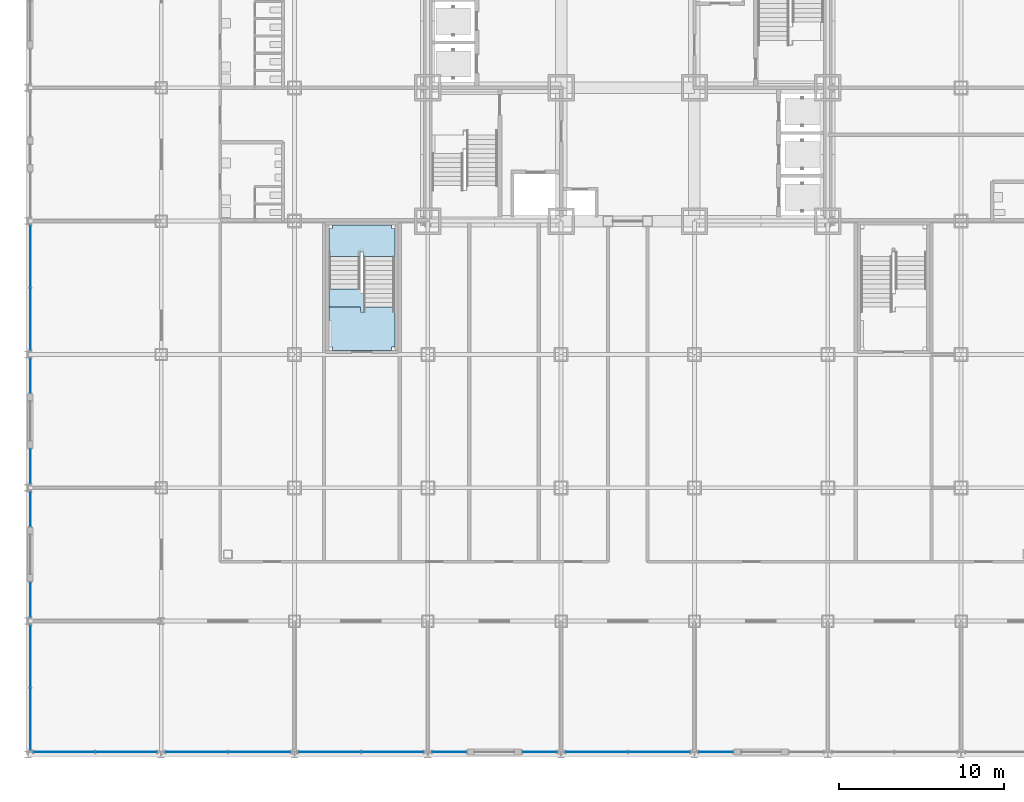
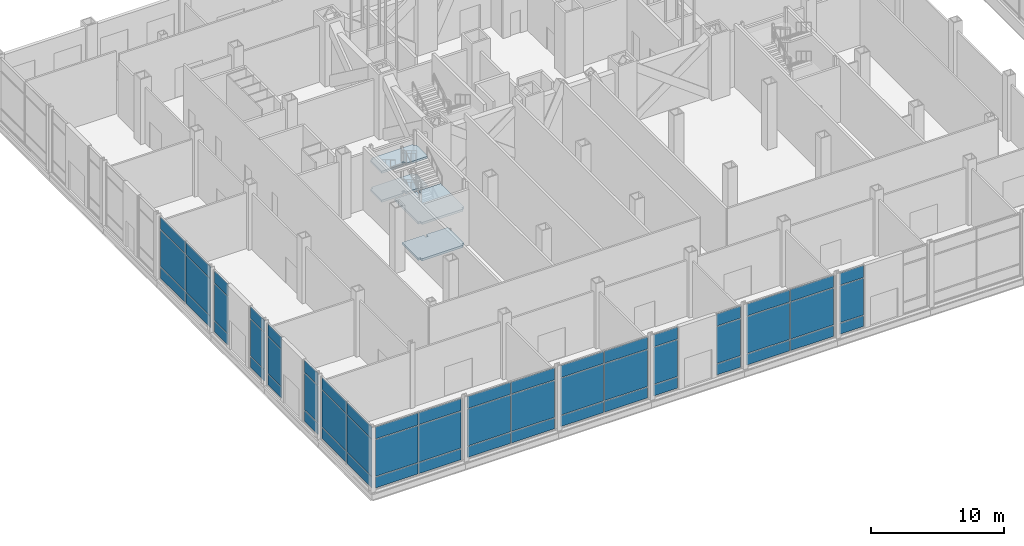
# One storey, part 19 of 35: 57 plates, 4 slabs, 14 elements without a shape of their own.
"""IFC4 building model written with IfcOpenShell, lengths in metres."""

from ifc_helpers import new_model, si_unit, direction, frame, origin, origin_2d, place, context, subcontext, project, spatial, polyline, rectangle, outline, extrude, material, layer, layer_set, type_object, element, aggregate, save


model = new_model("IFC4")

# Units and contexts
model_context = context("Model", 3, precision=1e-05, world=origin(), true_north=direction((0.0, 1.0)))
body_context = subcontext(model_context, "Body", "Model", "MODEL_VIEW")
ifc_project = project(units=[si_unit("LENGTHUNIT", "METRE"), si_unit("AREAUNIT", "SQUARE_METRE"), si_unit("VOLUMEUNIT", "CUBIC_METRE"), si_unit("PLANEANGLEUNIT", "RADIAN"), si_unit("MASSUNIT", "GRAM", prefix="KILO")], contexts=[model_context])

# Site, building, storey
site_placement = place(None, origin())
site = spatial("IfcSite", under=ifc_project, at=site_placement, CompositionType="ELEMENT")
building_placement = place(site_placement, origin())
building = spatial("IfcBuilding", under=site, at=building_placement, Name="Kopane Lantern Tower", CompositionType="ELEMENT")
storey_placement = place(building_placement, origin())
storey = spatial("IfcBuildingStorey", under=building, at=storey_placement, Name="L00", CompositionType="ELEMENT", Elevation=0.0)

# Curtain wall, plates
ifc_material_1 = material(Name="Aluminium and clear glass", Category="aluminium")
curtain_wall_type = type_object("IfcCurtainWallType", Name="CURTAIN WALL CW1 PODIUM STOREFRONT", PredefinedType="USERDEFINED", material=ifc_material_1)
curtain_wall_1_placement = place(storey_placement, origin())
curtain_wall_1 = element("IfcCurtainWall", 1, at=curtain_wall_1_placement, inside=storey, type_object=curtain_wall_type, Name="Curtain wall CW1 S L00", ObjectType="CURTAIN WALL", PredefinedType="USERDEFINED")
ifc_material_2 = material(Name="Insulated clear glass unit", Category="glass")
ifc_layer_1 = layer(ifc_material_2, 0.031982421875)
ifc_layer_set_1 = layer_set([ifc_layer_1], Name="CURTAIN PANEL CW1-P 32")
plate_type = type_object("IfcPlateType", Name="CURTAIN PANEL CW1-P 32", PredefinedType="CURTAIN_PANEL", material=ifc_layer_set_1)
plate_1_placement = place(storey_placement, frame((-5.88525390625, -7.949951171875, 0.06494140625), z_axis=(0.0, 0.0, 1.0), x_axis=(1.0, 0.0, 0.0)))
plate_1 = element("IfcPlate", 2, at=plate_1_placement, type_object=plate_type, Name="CW1 panel 1.1", PredefinedType="CURTAIN_PANEL", context=body_context, shape_type="SweptSolid", body=[
    extrude(rectangle(XDim=3.69921875, YDim=0.031982421875, at=origin_2d()), origin(), (0.0, 0.0, 1.0), 1.00244140625),
])
plate_2_placement = place(storey_placement, frame((-5.88525390625, -7.949951171875, 1.13232421875), z_axis=(0.0, 0.0, 1.0), x_axis=(1.0, 0.0, 0.0)))
plate_2 = element("IfcPlate", 3, at=plate_2_placement, type_object=plate_type, Name="CW1 panel 1.2", PredefinedType="CURTAIN_PANEL", context=body_context, shape_type="SweptSolid", body=[
    extrude(rectangle(XDim=3.69921875, YDim=0.031982421875, at=origin_2d()), origin(), (0.0, 0.0, 1.0), 3.385009765625),
])
plate_3_placement = place(storey_placement, frame((-5.88525390625, -7.949951171875, 4.58251953125), z_axis=(0.0, 0.0, 1.0), x_axis=(1.0, 0.0, 0.0)))
plate_3 = element("IfcPlate", 4, at=plate_3_placement, type_object=plate_type, Name="CW1 panel 1.3", PredefinedType="CURTAIN_PANEL", context=body_context, shape_type="SweptSolid", body=[
    extrude(rectangle(XDim=3.69921875, YDim=0.031982421875, at=origin_2d()), origin(), (0.0, 0.0, 1.0), 1.1025390625),
])
plate_4_placement = place(storey_placement, frame((-2.12109375, -7.949951171875, 0.06494140625), z_axis=(0.0, 0.0, 1.0), x_axis=(1.0, 0.0, 0.0)))
plate_4 = element("IfcPlate", 5, at=plate_4_placement, type_object=plate_type, Name="CW1 panel 2.1", PredefinedType="CURTAIN_PANEL", context=body_context, shape_type="SweptSolid", body=[
    extrude(rectangle(XDim=3.69921875, YDim=0.031982421875, at=origin_2d()), origin(), (0.0, 0.0, 1.0), 1.00244140625),
])
plate_5_placement = place(storey_placement, frame((-2.12109375, -7.949951171875, 1.13232421875), z_axis=(0.0, 0.0, 1.0), x_axis=(1.0, 0.0, 0.0)))
plate_5 = element("IfcPlate", 6, at=plate_5_placement, type_object=plate_type, Name="CW1 panel 2.2", PredefinedType="CURTAIN_PANEL", context=body_context, shape_type="SweptSolid", body=[
    extrude(rectangle(XDim=3.69921875, YDim=0.031982421875, at=origin_2d()), origin(), (0.0, 0.0, 1.0), 3.385009765625),
])
plate_6_placement = place(storey_placement, frame((-2.12109375, -7.949951171875, 4.58251953125), z_axis=(0.0, 0.0, 1.0), x_axis=(1.0, 0.0, 0.0)))
plate_6 = element("IfcPlate", 7, at=plate_6_placement, type_object=plate_type, Name="CW1 panel 2.3", PredefinedType="CURTAIN_PANEL", context=body_context, shape_type="SweptSolid", body=[
    extrude(rectangle(XDim=3.69921875, YDim=0.031982421875, at=origin_2d()), origin(), (0.0, 0.0, 1.0), 1.1025390625),
])
aggregate(curtain_wall_1, [plate_1, plate_2, plate_3, plate_4, plate_5, plate_6])

curtain_wall_2_placement = place(storey_placement, origin())
curtain_wall_2 = element("IfcCurtainWall", 8, at=curtain_wall_2_placement, inside=storey, type_object=curtain_wall_type, Name="Curtain wall CW1 S L00", ObjectType="CURTAIN WALL", PredefinedType="USERDEFINED")
plate_7_placement = place(storey_placement, frame((2.14453125, -7.949951171875, 0.06494140625), z_axis=(0.0, 0.0, 1.0), x_axis=(1.0, 0.0, 0.0)))
plate_7 = element("IfcPlate", 9, at=plate_7_placement, type_object=plate_type, Name="CW1 panel 1.1", PredefinedType="CURTAIN_PANEL", context=body_context, shape_type="SweptSolid", body=[
    extrude(rectangle(XDim=3.74609375, YDim=0.031982421875, at=origin_2d()), origin(), (0.0, 0.0, 1.0), 1.00244140625),
])
plate_8_placement = place(storey_placement, frame((2.14453125, -7.949951171875, 1.13232421875), z_axis=(0.0, 0.0, 1.0), x_axis=(1.0, 0.0, 0.0)))
plate_8 = element("IfcPlate", 10, at=plate_8_placement, type_object=plate_type, Name="CW1 panel 1.2", PredefinedType="CURTAIN_PANEL", context=body_context, shape_type="SweptSolid", body=[
    extrude(rectangle(XDim=3.74609375, YDim=0.031982421875, at=origin_2d()), origin(), (0.0, 0.0, 1.0), 3.385009765625),
])
plate_9_placement = place(storey_placement, frame((2.14453125, -7.949951171875, 4.58251953125), z_axis=(0.0, 0.0, 1.0), x_axis=(1.0, 0.0, 0.0)))
plate_9 = element("IfcPlate", 11, at=plate_9_placement, type_object=plate_type, Name="CW1 panel 1.3", PredefinedType="CURTAIN_PANEL", context=body_context, shape_type="SweptSolid", body=[
    extrude(rectangle(XDim=3.74609375, YDim=0.031982421875, at=origin_2d()), origin(), (0.0, 0.0, 1.0), 1.1025390625),
])
plate_10_placement = place(storey_placement, frame((5.95556640625, -7.949951171875, 0.06494140625), z_axis=(0.0, 0.0, 1.0), x_axis=(1.0, 0.0, 0.0)))
plate_10 = element("IfcPlate", 12, at=plate_10_placement, type_object=plate_type, Name="CW1 panel 2.1", PredefinedType="CURTAIN_PANEL", context=body_context, shape_type="SweptSolid", body=[
    extrude(rectangle(XDim=3.74609375, YDim=0.031982421875, at=origin_2d()), origin(), (0.0, 0.0, 1.0), 1.00244140625),
])
plate_11_placement = place(storey_placement, frame((5.95556640625, -7.949951171875, 1.13232421875), z_axis=(0.0, 0.0, 1.0), x_axis=(1.0, 0.0, 0.0)))
plate_11 = element("IfcPlate", 13, at=plate_11_placement, type_object=plate_type, Name="CW1 panel 2.2", PredefinedType="CURTAIN_PANEL", context=body_context, shape_type="SweptSolid", body=[
    extrude(rectangle(XDim=3.74609375, YDim=0.031982421875, at=origin_2d()), origin(), (0.0, 0.0, 1.0), 3.385009765625),
])
plate_12_placement = place(storey_placement, frame((5.95556640625, -7.949951171875, 4.58251953125), z_axis=(0.0, 0.0, 1.0), x_axis=(1.0, 0.0, 0.0)))
plate_12 = element("IfcPlate", 14, at=plate_12_placement, type_object=plate_type, Name="CW1 panel 2.3", PredefinedType="CURTAIN_PANEL", context=body_context, shape_type="SweptSolid", body=[
    extrude(rectangle(XDim=3.74609375, YDim=0.031982421875, at=origin_2d()), origin(), (0.0, 0.0, 1.0), 1.1025390625),
])
aggregate(curtain_wall_2, [plate_7, plate_8, plate_9, plate_10, plate_11, plate_12])

curtain_wall_3_placement = place(storey_placement, origin())
curtain_wall_3 = element("IfcCurtainWall", 15, at=curtain_wall_3_placement, inside=storey, type_object=curtain_wall_type, Name="Curtain wall CW1 S L00", ObjectType="CURTAIN WALL", PredefinedType="USERDEFINED")
plate_13_placement = place(storey_placement, frame((10.244384765625, -7.949951171875, 0.06494140625), z_axis=(0.0, 0.0, 1.0), x_axis=(1.0, 0.0, 0.0)))
plate_13 = element("IfcPlate", 16, at=plate_13_placement, type_object=plate_type, Name="CW1 panel 1.1", PredefinedType="CURTAIN_PANEL", context=body_context, shape_type="SweptSolid", body=[
    extrude(rectangle(XDim=3.74609375, YDim=0.031982421875, at=origin_2d()), origin(), (0.0, 0.0, 1.0), 1.00244140625),
])
plate_14_placement = place(storey_placement, frame((10.244384765625, -7.949951171875, 1.13232421875), z_axis=(0.0, 0.0, 1.0), x_axis=(1.0, 0.0, 0.0)))
plate_14 = element("IfcPlate", 17, at=plate_14_placement, type_object=plate_type, Name="CW1 panel 1.2", PredefinedType="CURTAIN_PANEL", context=body_context, shape_type="SweptSolid", body=[
    extrude(rectangle(XDim=3.74609375, YDim=0.031982421875, at=origin_2d()), origin(), (0.0, 0.0, 1.0), 3.385009765625),
])
plate_15_placement = place(storey_placement, frame((10.244384765625, -7.949951171875, 4.58251953125), z_axis=(0.0, 0.0, 1.0), x_axis=(1.0, 0.0, 0.0)))
plate_15 = element("IfcPlate", 18, at=plate_15_placement, type_object=plate_type, Name="CW1 panel 1.3", PredefinedType="CURTAIN_PANEL", context=body_context, shape_type="SweptSolid", body=[
    extrude(rectangle(XDim=3.74609375, YDim=0.031982421875, at=origin_2d()), origin(), (0.0, 0.0, 1.0), 1.1025390625),
])
plate_16_placement = place(storey_placement, frame((14.055419921875, -7.949951171875, 0.06494140625), z_axis=(0.0, 0.0, 1.0), x_axis=(1.0, 0.0, 0.0)))
plate_16 = element("IfcPlate", 19, at=plate_16_placement, type_object=plate_type, Name="CW1 panel 2.1", PredefinedType="CURTAIN_PANEL", context=body_context, shape_type="SweptSolid", body=[
    extrude(rectangle(XDim=3.74609375, YDim=0.031982421875, at=origin_2d()), origin(), (0.0, 0.0, 1.0), 1.00244140625),
])
plate_17_placement = place(storey_placement, frame((14.055419921875, -7.949951171875, 1.13232421875), z_axis=(0.0, 0.0, 1.0), x_axis=(1.0, 0.0, 0.0)))
plate_17 = element("IfcPlate", 20, at=plate_17_placement, type_object=plate_type, Name="CW1 panel 2.2", PredefinedType="CURTAIN_PANEL", context=body_context, shape_type="SweptSolid", body=[
    extrude(rectangle(XDim=3.74609375, YDim=0.031982421875, at=origin_2d()), origin(), (0.0, 0.0, 1.0), 3.385009765625),
])
plate_18_placement = place(storey_placement, frame((14.055419921875, -7.949951171875, 4.58251953125), z_axis=(0.0, 0.0, 1.0), x_axis=(1.0, 0.0, 0.0)))
plate_18 = element("IfcPlate", 21, at=plate_18_placement, type_object=plate_type, Name="CW1 panel 2.3", PredefinedType="CURTAIN_PANEL", context=body_context, shape_type="SweptSolid", body=[
    extrude(rectangle(XDim=3.74609375, YDim=0.031982421875, at=origin_2d()), origin(), (0.0, 0.0, 1.0), 1.1025390625),
])
aggregate(curtain_wall_3, [plate_13, plate_14, plate_15, plate_16, plate_17, plate_18])

curtain_wall_4_placement = place(storey_placement, origin())
curtain_wall_4 = element("IfcCurtainWall", 22, at=curtain_wall_4_placement, inside=storey, type_object=curtain_wall_type, Name="Curtain wall CW1 S L00", ObjectType="CURTAIN WALL", PredefinedType="USERDEFINED")
plate_19_placement = place(storey_placement, frame((17.503173828125, -7.949951171875, 0.06494140625), z_axis=(0.0, 0.0, 1.0), x_axis=(1.0, 0.0, 0.0)))
plate_19 = element("IfcPlate", 23, at=plate_19_placement, type_object=plate_type, Name="CW1 panel 1.1", PredefinedType="CURTAIN_PANEL", context=body_context, shape_type="SweptSolid", body=[
    extrude(rectangle(XDim=2.0634765625, YDim=0.031982421875, at=origin_2d()), origin(), (0.0, 0.0, 1.0), 1.00244140625),
])
plate_20_placement = place(storey_placement, frame((17.503173828125, -7.949951171875, 1.13232421875), z_axis=(0.0, 0.0, 1.0), x_axis=(1.0, 0.0, 0.0)))
plate_20 = element("IfcPlate", 24, at=plate_20_placement, type_object=plate_type, Name="CW1 panel 1.2", PredefinedType="CURTAIN_PANEL", context=body_context, shape_type="SweptSolid", body=[
    extrude(rectangle(XDim=2.0634765625, YDim=0.031982421875, at=origin_2d()), origin(), (0.0, 0.0, 1.0), 3.385009765625),
])
plate_21_placement = place(storey_placement, frame((17.503173828125, -7.949951171875, 4.58251953125), z_axis=(0.0, 0.0, 1.0), x_axis=(1.0, 0.0, 0.0)))
plate_21 = element("IfcPlate", 25, at=plate_21_placement, type_object=plate_type, Name="CW1 panel 1.3", PredefinedType="CURTAIN_PANEL", context=body_context, shape_type="SweptSolid", body=[
    extrude(rectangle(XDim=2.0634765625, YDim=0.031982421875, at=origin_2d()), origin(), (0.0, 0.0, 1.0), 1.1025390625),
])
aggregate(curtain_wall_4, [plate_19, plate_20, plate_21])

curtain_wall_5_placement = place(storey_placement, origin())
curtain_wall_5 = element("IfcCurtainWall", 26, at=curtain_wall_5_placement, inside=storey, type_object=curtain_wall_type, Name="Curtain wall CW1 S L00", ObjectType="CURTAIN WALL", PredefinedType="USERDEFINED")
plate_22_placement = place(storey_placement, frame((22.996826171875, -7.949951171875, 0.06494140625), z_axis=(0.0, 0.0, 1.0), x_axis=(1.0, 0.0, 0.0)))
plate_22 = element("IfcPlate", 27, at=plate_22_placement, type_object=plate_type, Name="CW1 panel 1.1", PredefinedType="CURTAIN_PANEL", context=body_context, shape_type="SweptSolid", body=[
    extrude(rectangle(XDim=2.0634765625, YDim=0.031982421875, at=origin_2d()), origin(), (0.0, 0.0, 1.0), 1.00244140625),
])
plate_23_placement = place(storey_placement, frame((22.996826171875, -7.949951171875, 1.13232421875), z_axis=(0.0, 0.0, 1.0), x_axis=(1.0, 0.0, 0.0)))
plate_23 = element("IfcPlate", 28, at=plate_23_placement, type_object=plate_type, Name="CW1 panel 1.2", PredefinedType="CURTAIN_PANEL", context=body_context, shape_type="SweptSolid", body=[
    extrude(rectangle(XDim=2.0634765625, YDim=0.031982421875, at=origin_2d()), origin(), (0.0, 0.0, 1.0), 3.385009765625),
])
plate_24_placement = place(storey_placement, frame((22.996826171875, -7.949951171875, 4.58251953125), z_axis=(0.0, 0.0, 1.0), x_axis=(1.0, 0.0, 0.0)))
plate_24 = element("IfcPlate", 29, at=plate_24_placement, type_object=plate_type, Name="CW1 panel 1.3", PredefinedType="CURTAIN_PANEL", context=body_context, shape_type="SweptSolid", body=[
    extrude(rectangle(XDim=2.0634765625, YDim=0.031982421875, at=origin_2d()), origin(), (0.0, 0.0, 1.0), 1.1025390625),
])
aggregate(curtain_wall_5, [plate_22, plate_23, plate_24])

curtain_wall_6_placement = place(storey_placement, origin())
curtain_wall_6 = element("IfcCurtainWall", 30, at=curtain_wall_6_placement, inside=storey, type_object=curtain_wall_type, Name="Curtain wall CW1 S L00", ObjectType="CURTAIN WALL", PredefinedType="USERDEFINED")
plate_25_placement = place(storey_placement, frame((26.444580078125, -7.949951171875, 0.06494140625), z_axis=(0.0, 0.0, 1.0), x_axis=(1.0, 0.0, 0.0)))
plate_25 = element("IfcPlate", 31, at=plate_25_placement, type_object=plate_type, Name="CW1 panel 1.1", PredefinedType="CURTAIN_PANEL", context=body_context, shape_type="SweptSolid", body=[
    extrude(rectangle(XDim=3.74609375, YDim=0.031982421875, at=origin_2d()), origin(), (0.0, 0.0, 1.0), 1.00244140625),
])
plate_26_placement = place(storey_placement, frame((26.444580078125, -7.949951171875, 1.13232421875), z_axis=(0.0, 0.0, 1.0), x_axis=(1.0, 0.0, 0.0)))
plate_26 = element("IfcPlate", 32, at=plate_26_placement, type_object=plate_type, Name="CW1 panel 1.2", PredefinedType="CURTAIN_PANEL", context=body_context, shape_type="SweptSolid", body=[
    extrude(rectangle(XDim=3.74609375, YDim=0.031982421875, at=origin_2d()), origin(), (0.0, 0.0, 1.0), 3.385009765625),
])
plate_27_placement = place(storey_placement, frame((26.444580078125, -7.949951171875, 4.58251953125), z_axis=(0.0, 0.0, 1.0), x_axis=(1.0, 0.0, 0.0)))
plate_27 = element("IfcPlate", 33, at=plate_27_placement, type_object=plate_type, Name="CW1 panel 1.3", PredefinedType="CURTAIN_PANEL", context=body_context, shape_type="SweptSolid", body=[
    extrude(rectangle(XDim=3.74609375, YDim=0.031982421875, at=origin_2d()), origin(), (0.0, 0.0, 1.0), 1.1025390625),
])
plate_28_placement = place(storey_placement, frame((30.255615234375, -7.949951171875, 0.06494140625), z_axis=(0.0, 0.0, 1.0), x_axis=(1.0, 0.0, 0.0)))
plate_28 = element("IfcPlate", 34, at=plate_28_placement, type_object=plate_type, Name="CW1 panel 2.1", PredefinedType="CURTAIN_PANEL", context=body_context, shape_type="SweptSolid", body=[
    extrude(rectangle(XDim=3.74609375, YDim=0.031982421875, at=origin_2d()), origin(), (0.0, 0.0, 1.0), 1.00244140625),
])
plate_29_placement = place(storey_placement, frame((30.255615234375, -7.949951171875, 1.13232421875), z_axis=(0.0, 0.0, 1.0), x_axis=(1.0, 0.0, 0.0)))
plate_29 = element("IfcPlate", 35, at=plate_29_placement, type_object=plate_type, Name="CW1 panel 2.2", PredefinedType="CURTAIN_PANEL", context=body_context, shape_type="SweptSolid", body=[
    extrude(rectangle(XDim=3.74609375, YDim=0.031982421875, at=origin_2d()), origin(), (0.0, 0.0, 1.0), 3.385009765625),
])
plate_30_placement = place(storey_placement, frame((30.255615234375, -7.949951171875, 4.58251953125), z_axis=(0.0, 0.0, 1.0), x_axis=(1.0, 0.0, 0.0)))
plate_30 = element("IfcPlate", 36, at=plate_30_placement, type_object=plate_type, Name="CW1 panel 2.3", PredefinedType="CURTAIN_PANEL", context=body_context, shape_type="SweptSolid", body=[
    extrude(rectangle(XDim=3.74609375, YDim=0.031982421875, at=origin_2d()), origin(), (0.0, 0.0, 1.0), 1.1025390625),
])
aggregate(curtain_wall_6, [plate_25, plate_26, plate_27, plate_28, plate_29, plate_30])

curtain_wall_7_placement = place(storey_placement, origin())
curtain_wall_7 = element("IfcCurtainWall", 37, at=curtain_wall_7_placement, inside=storey, type_object=curtain_wall_type, Name="Curtain wall CW1 S L00", ObjectType="CURTAIN WALL", PredefinedType="USERDEFINED")
plate_31_placement = place(storey_placement, frame((33.703369140625, -7.949951171875, 0.06494140625), z_axis=(0.0, 0.0, 1.0), x_axis=(1.0, 0.0, 0.0)))
plate_31 = element("IfcPlate", 38, at=plate_31_placement, type_object=plate_type, Name="CW1 panel 1.1", PredefinedType="CURTAIN_PANEL", context=body_context, shape_type="SweptSolid", body=[
    extrude(rectangle(XDim=2.0634765625, YDim=0.031982421875, at=origin_2d()), origin(), (0.0, 0.0, 1.0), 1.00244140625),
])
plate_32_placement = place(storey_placement, frame((33.703369140625, -7.949951171875, 1.13232421875), z_axis=(0.0, 0.0, 1.0), x_axis=(1.0, 0.0, 0.0)))
plate_32 = element("IfcPlate", 39, at=plate_32_placement, type_object=plate_type, Name="CW1 panel 1.2", PredefinedType="CURTAIN_PANEL", context=body_context, shape_type="SweptSolid", body=[
    extrude(rectangle(XDim=2.0634765625, YDim=0.031982421875, at=origin_2d()), origin(), (0.0, 0.0, 1.0), 3.385009765625),
])
plate_33_placement = place(storey_placement, frame((33.703369140625, -7.949951171875, 4.58251953125), z_axis=(0.0, 0.0, 1.0), x_axis=(1.0, 0.0, 0.0)))
plate_33 = element("IfcPlate", 40, at=plate_33_placement, type_object=plate_type, Name="CW1 panel 1.3", PredefinedType="CURTAIN_PANEL", context=body_context, shape_type="SweptSolid", body=[
    extrude(rectangle(XDim=2.0634765625, YDim=0.031982421875, at=origin_2d()), origin(), (0.0, 0.0, 1.0), 1.1025390625),
])
aggregate(curtain_wall_7, [plate_31, plate_32, plate_33])

curtain_wall_8_placement = place(storey_placement, origin())
curtain_wall_8 = element("IfcCurtainWall", 41, at=curtain_wall_8_placement, inside=storey, type_object=curtain_wall_type, Name="Curtain wall CW1 W L00", ObjectType="CURTAIN WALL", PredefinedType="USERDEFINED")
plate_34_placement = place(storey_placement, frame((-7.949951171875, 22.154541015625, 0.06494140625), z_axis=(0.0, 0.0, 1.0), x_axis=(0.0, -1.0, 0.0)))
plate_34 = element("IfcPlate", 42, at=plate_34_placement, type_object=plate_type, Name="CW1 panel 1.1", PredefinedType="CURTAIN_PANEL", context=body_context, shape_type="SweptSolid", body=[
    extrude(rectangle(XDim=3.744384765625, YDim=0.031982421875, at=origin_2d()), origin(), (0.0, 0.0, 1.0), 1.00244140625),
])
plate_35_placement = place(storey_placement, frame((-7.949951171875, 22.154541015625, 1.13232421875), z_axis=(0.0, 0.0, 1.0), x_axis=(0.0, -1.0, 0.0)))
plate_35 = element("IfcPlate", 43, at=plate_35_placement, type_object=plate_type, Name="CW1 panel 1.2", PredefinedType="CURTAIN_PANEL", context=body_context, shape_type="SweptSolid", body=[
    extrude(rectangle(XDim=3.744384765625, YDim=0.031982421875, at=origin_2d()), origin(), (0.0, 0.0, 1.0), 3.385009765625),
])
plate_36_placement = place(storey_placement, frame((-7.949951171875, 22.154541015625, 4.58251953125), z_axis=(0.0, 0.0, 1.0), x_axis=(0.0, -1.0, 0.0)))
plate_36 = element("IfcPlate", 44, at=plate_36_placement, type_object=plate_type, Name="CW1 panel 1.3", PredefinedType="CURTAIN_PANEL", context=body_context, shape_type="SweptSolid", body=[
    extrude(rectangle(XDim=3.744384765625, YDim=0.031982421875, at=origin_2d()), origin(), (0.0, 0.0, 1.0), 1.1025390625),
])
plate_37_placement = place(storey_placement, frame((-7.949951171875, 18.345458984375, 0.06494140625), z_axis=(0.0, 0.0, 1.0), x_axis=(0.0, -1.0, 0.0)))
plate_37 = element("IfcPlate", 45, at=plate_37_placement, type_object=plate_type, Name="CW1 panel 2.1", PredefinedType="CURTAIN_PANEL", context=body_context, shape_type="SweptSolid", body=[
    extrude(rectangle(XDim=3.744384765625, YDim=0.031982421875, at=origin_2d()), origin(), (0.0, 0.0, 1.0), 1.00244140625),
])
plate_38_placement = place(storey_placement, frame((-7.949951171875, 18.345458984375, 1.13232421875), z_axis=(0.0, 0.0, 1.0), x_axis=(0.0, -1.0, 0.0)))
plate_38 = element("IfcPlate", 46, at=plate_38_placement, type_object=plate_type, Name="CW1 panel 2.2", PredefinedType="CURTAIN_PANEL", context=body_context, shape_type="SweptSolid", body=[
    extrude(rectangle(XDim=3.744384765625, YDim=0.031982421875, at=origin_2d()), origin(), (0.0, 0.0, 1.0), 3.385009765625),
])
plate_39_placement = place(storey_placement, frame((-7.949951171875, 18.345458984375, 4.58251953125), z_axis=(0.0, 0.0, 1.0), x_axis=(0.0, -1.0, 0.0)))
plate_39 = element("IfcPlate", 47, at=plate_39_placement, type_object=plate_type, Name="CW1 panel 2.3", PredefinedType="CURTAIN_PANEL", context=body_context, shape_type="SweptSolid", body=[
    extrude(rectangle(XDim=3.744384765625, YDim=0.031982421875, at=origin_2d()), origin(), (0.0, 0.0, 1.0), 1.1025390625),
])
aggregate(curtain_wall_8, [plate_34, plate_35, plate_36, plate_37, plate_38, plate_39])

curtain_wall_9_placement = place(storey_placement, origin())
curtain_wall_9 = element("IfcCurtainWall", 48, at=curtain_wall_9_placement, inside=storey, type_object=curtain_wall_type, Name="Curtain wall CW1 W L00", ObjectType="CURTAIN WALL", PredefinedType="USERDEFINED")
plate_40_placement = place(storey_placement, frame((-7.949951171875, 14.89599609375, 0.06494140625), z_axis=(0.0, 0.0, 1.0), x_axis=(0.0, -1.0, 0.0)))
plate_40 = element("IfcPlate", 49, at=plate_40_placement, type_object=plate_type, Name="CW1 panel 1.1", PredefinedType="CURTAIN_PANEL", context=body_context, shape_type="SweptSolid", body=[
    extrude(rectangle(XDim=2.061767578125, YDim=0.031982421875, at=origin_2d()), origin(), (0.0, 0.0, 1.0), 1.00244140625),
])
plate_41_placement = place(storey_placement, frame((-7.949951171875, 14.89599609375, 1.13232421875), z_axis=(0.0, 0.0, 1.0), x_axis=(0.0, -1.0, 0.0)))
plate_41 = element("IfcPlate", 50, at=plate_41_placement, type_object=plate_type, Name="CW1 panel 1.2", PredefinedType="CURTAIN_PANEL", context=body_context, shape_type="SweptSolid", body=[
    extrude(rectangle(XDim=2.061767578125, YDim=0.031982421875, at=origin_2d()), origin(), (0.0, 0.0, 1.0), 3.385009765625),
])
plate_42_placement = place(storey_placement, frame((-7.949951171875, 14.89599609375, 4.58251953125), z_axis=(0.0, 0.0, 1.0), x_axis=(0.0, -1.0, 0.0)))
plate_42 = element("IfcPlate", 51, at=plate_42_placement, type_object=plate_type, Name="CW1 panel 1.3", PredefinedType="CURTAIN_PANEL", context=body_context, shape_type="SweptSolid", body=[
    extrude(rectangle(XDim=2.061767578125, YDim=0.031982421875, at=origin_2d()), origin(), (0.0, 0.0, 1.0), 1.1025390625),
])
aggregate(curtain_wall_9, [plate_40, plate_41, plate_42])

curtain_wall_10_placement = place(storey_placement, origin())
curtain_wall_10 = element("IfcCurtainWall", 52, at=curtain_wall_10_placement, inside=storey, type_object=curtain_wall_type, Name="Curtain wall CW1 W L00", ObjectType="CURTAIN WALL", PredefinedType="USERDEFINED")
plate_43_placement = place(storey_placement, frame((-7.949951171875, 9.404052734375, 0.06494140625), z_axis=(0.0, 0.0, 1.0), x_axis=(0.0, -1.0, 0.0)))
plate_43 = element("IfcPlate", 53, at=plate_43_placement, type_object=plate_type, Name="CW1 panel 1.1", PredefinedType="CURTAIN_PANEL", context=body_context, shape_type="SweptSolid", body=[
    extrude(rectangle(XDim=2.061767578125, YDim=0.031982421875, at=origin_2d()), origin(), (0.0, 0.0, 1.0), 1.00244140625),
])
plate_44_placement = place(storey_placement, frame((-7.949951171875, 9.404052734375, 1.13232421875), z_axis=(0.0, 0.0, 1.0), x_axis=(0.0, -1.0, 0.0)))
plate_44 = element("IfcPlate", 54, at=plate_44_placement, type_object=plate_type, Name="CW1 panel 1.2", PredefinedType="CURTAIN_PANEL", context=body_context, shape_type="SweptSolid", body=[
    extrude(rectangle(XDim=2.061767578125, YDim=0.031982421875, at=origin_2d()), origin(), (0.0, 0.0, 1.0), 3.385009765625),
])
plate_45_placement = place(storey_placement, frame((-7.949951171875, 9.404052734375, 4.58251953125), z_axis=(0.0, 0.0, 1.0), x_axis=(0.0, -1.0, 0.0)))
plate_45 = element("IfcPlate", 55, at=plate_45_placement, type_object=plate_type, Name="CW1 panel 1.3", PredefinedType="CURTAIN_PANEL", context=body_context, shape_type="SweptSolid", body=[
    extrude(rectangle(XDim=2.061767578125, YDim=0.031982421875, at=origin_2d()), origin(), (0.0, 0.0, 1.0), 1.1025390625),
])
aggregate(curtain_wall_10, [plate_43, plate_44, plate_45])

curtain_wall_11_placement = place(storey_placement, origin())
curtain_wall_11 = element("IfcCurtainWall", 56, at=curtain_wall_11_placement, inside=storey, type_object=curtain_wall_type, Name="Curtain wall CW1 W L00", ObjectType="CURTAIN WALL", PredefinedType="USERDEFINED")
plate_46_placement = place(storey_placement, frame((-7.949951171875, 6.7958984375, 0.06494140625), z_axis=(0.0, 0.0, 1.0), x_axis=(0.0, -1.0, 0.0)))
plate_46 = element("IfcPlate", 57, at=plate_46_placement, type_object=plate_type, Name="CW1 panel 1.1", PredefinedType="CURTAIN_PANEL", context=body_context, shape_type="SweptSolid", body=[
    extrude(rectangle(XDim=2.061767578125, YDim=0.031982421875, at=origin_2d()), origin(), (0.0, 0.0, 1.0), 1.00244140625),
])
plate_47_placement = place(storey_placement, frame((-7.949951171875, 6.7958984375, 1.13232421875), z_axis=(0.0, 0.0, 1.0), x_axis=(0.0, -1.0, 0.0)))
plate_47 = element("IfcPlate", 58, at=plate_47_placement, type_object=plate_type, Name="CW1 panel 1.2", PredefinedType="CURTAIN_PANEL", context=body_context, shape_type="SweptSolid", body=[
    extrude(rectangle(XDim=2.061767578125, YDim=0.031982421875, at=origin_2d()), origin(), (0.0, 0.0, 1.0), 3.385009765625),
])
plate_48_placement = place(storey_placement, frame((-7.949951171875, 6.7958984375, 4.58251953125), z_axis=(0.0, 0.0, 1.0), x_axis=(0.0, -1.0, 0.0)))
plate_48 = element("IfcPlate", 59, at=plate_48_placement, type_object=plate_type, Name="CW1 panel 1.3", PredefinedType="CURTAIN_PANEL", context=body_context, shape_type="SweptSolid", body=[
    extrude(rectangle(XDim=2.061767578125, YDim=0.031982421875, at=origin_2d()), origin(), (0.0, 0.0, 1.0), 1.1025390625),
])
aggregate(curtain_wall_11, [plate_46, plate_47, plate_48])

curtain_wall_12_placement = place(storey_placement, origin())
curtain_wall_12 = element("IfcCurtainWall", 60, at=curtain_wall_12_placement, inside=storey, type_object=curtain_wall_type, Name="Curtain wall CW1 W L00", ObjectType="CURTAIN WALL", PredefinedType="USERDEFINED")
plate_49_placement = place(storey_placement, frame((-7.949951171875, 1.30419921875, 0.06494140625), z_axis=(0.0, 0.0, 1.0), x_axis=(0.0, -1.0, 0.0)))
plate_49 = element("IfcPlate", 61, at=plate_49_placement, type_object=plate_type, Name="CW1 panel 1.1", PredefinedType="CURTAIN_PANEL", context=body_context, shape_type="SweptSolid", body=[
    extrude(rectangle(XDim=2.061767578125, YDim=0.031982421875, at=origin_2d()), origin(), (0.0, 0.0, 1.0), 1.00244140625),
])
plate_50_placement = place(storey_placement, frame((-7.949951171875, 1.30419921875, 1.13232421875), z_axis=(0.0, 0.0, 1.0), x_axis=(0.0, -1.0, 0.0)))
plate_50 = element("IfcPlate", 62, at=plate_50_placement, type_object=plate_type, Name="CW1 panel 1.2", PredefinedType="CURTAIN_PANEL", context=body_context, shape_type="SweptSolid", body=[
    extrude(rectangle(XDim=2.061767578125, YDim=0.031982421875, at=origin_2d()), origin(), (0.0, 0.0, 1.0), 3.385009765625),
])
plate_51_placement = place(storey_placement, frame((-7.949951171875, 1.30419921875, 4.58251953125), z_axis=(0.0, 0.0, 1.0), x_axis=(0.0, -1.0, 0.0)))
plate_51 = element("IfcPlate", 63, at=plate_51_placement, type_object=plate_type, Name="CW1 panel 1.3", PredefinedType="CURTAIN_PANEL", context=body_context, shape_type="SweptSolid", body=[
    extrude(rectangle(XDim=2.061767578125, YDim=0.031982421875, at=origin_2d()), origin(), (0.0, 0.0, 1.0), 1.1025390625),
])
aggregate(curtain_wall_12, [plate_49, plate_50, plate_51])

curtain_wall_13_placement = place(storey_placement, origin())
curtain_wall_13 = element("IfcCurtainWall", 64, at=curtain_wall_13_placement, inside=storey, type_object=curtain_wall_type, Name="Curtain wall CW1 W L00", ObjectType="CURTAIN WALL", PredefinedType="USERDEFINED")
plate_52_placement = place(storey_placement, frame((-7.949951171875, -2.145263671875, 0.06494140625), z_axis=(0.0, 0.0, 1.0), x_axis=(0.0, -1.0, 0.0)))
plate_52 = element("IfcPlate", 65, at=plate_52_placement, type_object=plate_type, Name="CW1 panel 1.1", PredefinedType="CURTAIN_PANEL", context=body_context, shape_type="SweptSolid", body=[
    extrude(rectangle(XDim=3.744384765625, YDim=0.031982421875, at=origin_2d()), origin(), (0.0, 0.0, 1.0), 1.00244140625),
])
plate_53_placement = place(storey_placement, frame((-7.949951171875, -2.145263671875, 1.13232421875), z_axis=(0.0, 0.0, 1.0), x_axis=(0.0, -1.0, 0.0)))
plate_53 = element("IfcPlate", 66, at=plate_53_placement, type_object=plate_type, Name="CW1 panel 1.2", PredefinedType="CURTAIN_PANEL", context=body_context, shape_type="SweptSolid", body=[
    extrude(rectangle(XDim=3.744384765625, YDim=0.031982421875, at=origin_2d()), origin(), (0.0, 0.0, 1.0), 3.385009765625),
])
plate_54_placement = place(storey_placement, frame((-7.949951171875, -2.145263671875, 4.58251953125), z_axis=(0.0, 0.0, 1.0), x_axis=(0.0, -1.0, 0.0)))
plate_54 = element("IfcPlate", 67, at=plate_54_placement, type_object=plate_type, Name="CW1 panel 1.3", PredefinedType="CURTAIN_PANEL", context=body_context, shape_type="SweptSolid", body=[
    extrude(rectangle(XDim=3.744384765625, YDim=0.031982421875, at=origin_2d()), origin(), (0.0, 0.0, 1.0), 1.1025390625),
])
plate_55_placement = place(storey_placement, frame((-7.949951171875, -5.95458984375, 0.06494140625), z_axis=(0.0, 0.0, 1.0), x_axis=(0.0, -1.0, 0.0)))
plate_55 = element("IfcPlate", 68, at=plate_55_placement, type_object=plate_type, Name="CW1 panel 2.1", PredefinedType="CURTAIN_PANEL", context=body_context, shape_type="SweptSolid", body=[
    extrude(rectangle(XDim=3.744384765625, YDim=0.031982421875, at=origin_2d()), origin(), (0.0, 0.0, 1.0), 1.00244140625),
])
plate_56_placement = place(storey_placement, frame((-7.949951171875, -5.95458984375, 1.13232421875), z_axis=(0.0, 0.0, 1.0), x_axis=(0.0, -1.0, 0.0)))
plate_56 = element("IfcPlate", 69, at=plate_56_placement, type_object=plate_type, Name="CW1 panel 2.2", PredefinedType="CURTAIN_PANEL", context=body_context, shape_type="SweptSolid", body=[
    extrude(rectangle(XDim=3.744384765625, YDim=0.031982421875, at=origin_2d()), origin(), (0.0, 0.0, 1.0), 3.385009765625),
])
plate_57_placement = place(storey_placement, frame((-7.949951171875, -5.95458984375, 4.58251953125), z_axis=(0.0, 0.0, 1.0), x_axis=(0.0, -1.0, 0.0)))
plate_57 = element("IfcPlate", 70, at=plate_57_placement, type_object=plate_type, Name="CW1 panel 2.3", PredefinedType="CURTAIN_PANEL", context=body_context, shape_type="SweptSolid", body=[
    extrude(rectangle(XDim=3.744384765625, YDim=0.031982421875, at=origin_2d()), origin(), (0.0, 0.0, 1.0), 1.1025390625),
])
aggregate(curtain_wall_13, [plate_52, plate_53, plate_54, plate_55, plate_56, plate_57])

# Stair, slabs
ifc_material_3 = material(Name="Steel S355JR", Category="steel")
stair_type = type_object("IfcStairType", Name="EXIT STAIR 1900 HALF TURN", PredefinedType="HALF_TURN_STAIR", material=ifc_material_3)
stair_placement = place(storey_placement, origin())
stair = element("IfcStair", 71, at=stair_placement, inside=storey, type_object=stair_type, Name="Exit stair ST3 L00", PredefinedType="HALF_TURN_STAIR")
ifc_material_4 = material(Name="Concrete C40/50", Category="concrete")
ifc_layer_2 = layer(ifc_material_4, 0.199951171875)
ifc_layer_set_2 = layer_set([ifc_layer_2], Name="STAIR LANDING 200")
slab_type = type_object("IfcSlabType", Name="STAIR LANDING 200", PredefinedType="LANDING", material=ifc_layer_set_2)
slab_1_placement = place(storey_placement, frame((0.0, 0.0, -0.199951171875)))
slab_1 = element("IfcSlab", 72, at=slab_1_placement, type_object=slab_type, Name="ST3 landing 1", PredefinedType="LANDING", context=body_context, shape_type="SweptSolid", body=[
    extrude(outline(polyline([(10.39990234375, 16.64990234375), (10.39990234375, 16.449951171875), (14.0, 16.449951171875), (14.0, 16.64990234375), (14.199951171875, 16.64990234375), (14.199951171875, 19.070068359375), (12.300048828125, 19.070068359375), (12.300048828125, 18.7900390625), (12.10009765625, 18.7900390625), (12.10009765625, 19.070068359375), (10.199951171875, 19.070068359375), (10.199951171875, 16.64990234375), (10.39990234375, 16.64990234375)])), origin(), (0.0, 0.0, 1.0), 0.199951171875),
])
slab_2_placement = place(storey_placement, frame((0.0, 0.0, 1.800048828125)))
slab_2 = element("IfcSlab", 73, at=slab_2_placement, type_object=slab_type, Name="ST3 landing 2", PredefinedType="LANDING", context=body_context, shape_type="SweptSolid", body=[
    extrude(outline(polyline([(10.39990234375, 23.85009765625), (10.199951171875, 23.85009765625), (10.199951171875, 22.14990234375), (12.10009765625, 22.14990234375), (12.10009765625, 22.429931640625), (12.300048828125, 22.429931640625), (12.300048828125, 22.14990234375), (14.199951171875, 22.14990234375), (14.199951171875, 23.85009765625), (14.0, 23.85009765625), (14.0, 24.050048828125), (10.39990234375, 24.050048828125), (10.39990234375, 23.85009765625)])), origin(), (0.0, 0.0, 1.0), 0.199951171875),
])
slab_3_placement = place(storey_placement, frame((0.0, 0.0, 3.13330078125)))
slab_3 = element("IfcSlab", 74, at=slab_3_placement, type_object=slab_type, Name="ST3 landing 3", PredefinedType="LANDING", context=body_context, shape_type="SweptSolid", body=[
    extrude(outline(polyline([(10.39990234375, 16.64990234375), (10.39990234375, 16.449951171875), (14.0, 16.449951171875), (14.0, 16.64990234375), (14.199951171875, 16.64990234375), (14.199951171875, 20.18994140625), (12.300048828125, 20.18994140625), (12.300048828125, 19.909912109375), (12.10009765625, 19.909912109375), (12.10009765625, 20.18994140625), (10.199951171875, 20.18994140625), (10.199951171875, 16.64990234375), (10.39990234375, 16.64990234375)])), origin(), (0.0, 0.0, 1.0), 0.199951171875),
])
slab_4_placement = place(storey_placement, frame((0.0, 0.0, 4.466796875)))
slab_4 = element("IfcSlab", 75, at=slab_4_placement, type_object=slab_type, Name="ST3 landing 4", PredefinedType="LANDING", context=body_context, shape_type="SweptSolid", body=[
    extrude(outline(polyline([(10.39990234375, 23.85009765625), (10.199951171875, 23.85009765625), (10.199951171875, 22.14990234375), (12.10009765625, 22.14990234375), (12.10009765625, 22.429931640625), (12.300048828125, 22.429931640625), (12.300048828125, 22.14990234375), (14.199951171875, 22.14990234375), (14.199951171875, 23.85009765625), (14.0, 23.85009765625), (14.0, 24.050048828125), (10.39990234375, 24.050048828125), (10.39990234375, 23.85009765625)])), origin(), (0.0, 0.0, 1.0), 0.199951171875),
])
aggregate(stair, [slab_1, slab_2, slab_3, slab_4])

save(model, "model.ifc")
